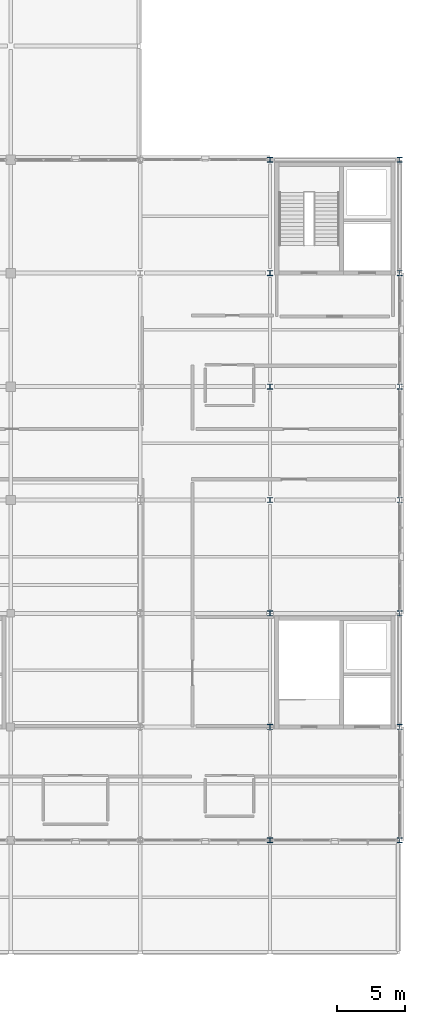
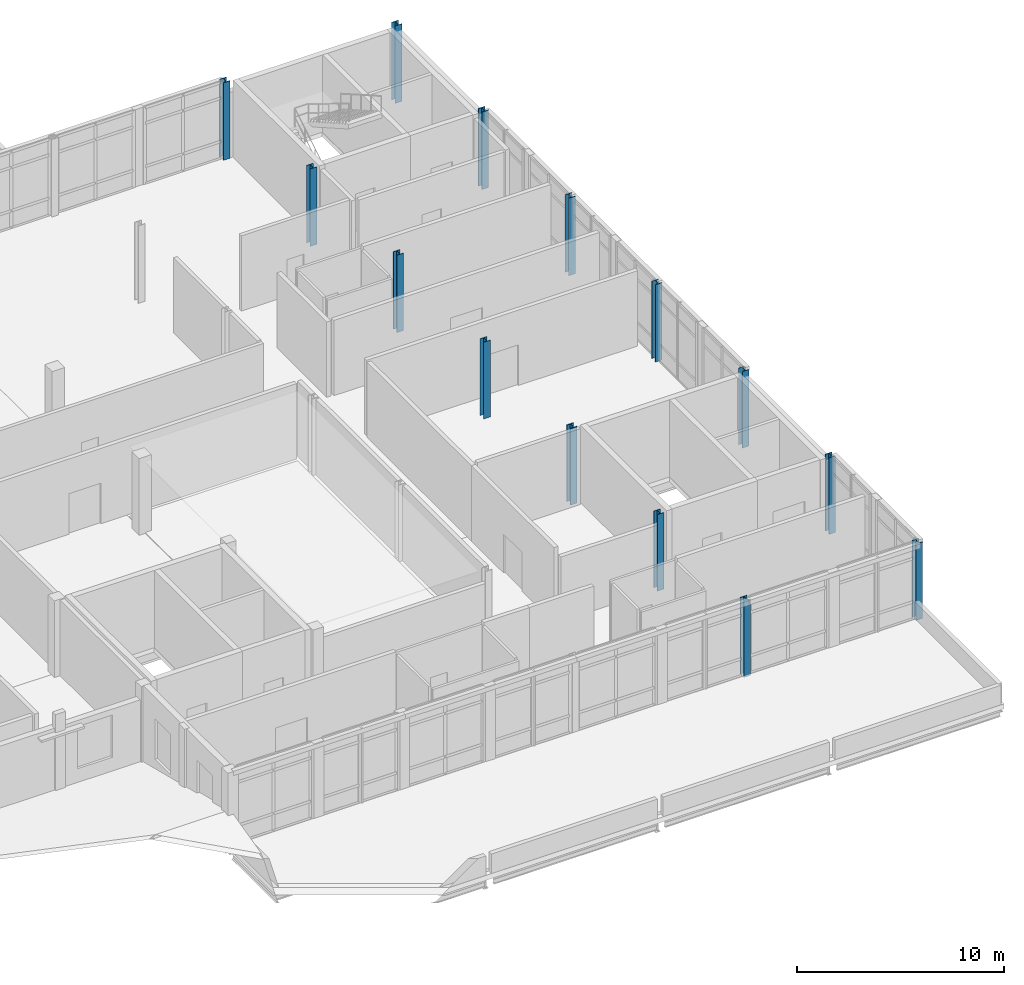
# One storey, part 9 of 52: 14 columns.
"""IFC4 building model written with IfcOpenShell, lengths in metres."""

from ifc_helpers import new_model, si_unit, direction, frame, origin, origin_2d, place, context, subcontext, project, spatial, i_section, extrude, material, material_profile, profile_set, type_object, element, save


model = new_model("IFC4")

# Units and contexts
model_context = context("Model", 3, precision=1e-05, world=origin(), true_north=direction((0.0, 1.0)))
body_context = subcontext(model_context, "Body", "Model", "MODEL_VIEW")
ifc_project = project(units=[si_unit("LENGTHUNIT", "METRE"), si_unit("AREAUNIT", "SQUARE_METRE"), si_unit("VOLUMEUNIT", "CUBIC_METRE"), si_unit("PLANEANGLEUNIT", "RADIAN"), si_unit("MASSUNIT", "GRAM", prefix="KILO")], contexts=[model_context])

# Site, building, storey
site_placement = place(None, origin())
site = spatial("IfcSite", under=ifc_project, at=site_placement, CompositionType="ELEMENT")
building_placement = place(site_placement, origin())
building = spatial("IfcBuilding", under=site, at=building_placement, Name="Lornevale Opera House", CompositionType="ELEMENT")
storey_placement = place(building_placement, frame((0.0, 0.0, 15.0)))
storey = spatial("IfcBuildingStorey", under=building, at=storey_placement, Name="L04", CompositionType="ELEMENT", Elevation=15.0)

# Columns
ifc_material = material(Name="Structural Steel CSA G40.21 Grade 350W (350 MPa)", Category="steel")
ifc_material_profile = material_profile(ifc_material, i_section(OverallWidth=0.373046875, OverallDepth=0.367919921875, WebThickness=0.017578125, FlangeThickness=0.028076171875, at=origin_2d()), Name="W360x179")
ifc_profile_set = profile_set([ifc_material_profile], Name="Structural Steel CSA G40.21 Grade 350W (350 MPa)")
column_type = type_object("IfcColumnType", Name="Steel Gallery Column W360x179", PredefinedType="COLUMN", material=ifc_profile_set)
for number, where, z_axis, x_axis, name in (
    (1, (134.39990234375, 25.199951171875, 0.0), (0.0, 0.0, 1.0), (1.0, 0.0, 0.0), "Steel Gallery Column W360x179 0925"),
    (2, (134.39990234375, 33.60009765625, 0.0), (0.0, 0.0, 1.0), (1.0, 0.0, 0.0), "Steel Gallery Column W360x179 0931"),
    (3, (134.39990234375, 42.0, 0.0), (0.0, 0.0, 1.0), (1.0, 0.0, 0.0), "Steel Gallery Column W360x179 0937"),
    (4, (134.39990234375, 50.39990234375, 0.0), (0.0, 0.0, 1.0), (1.0, 0.0, 0.0), "Steel Gallery Column W360x179 0943"),
):
    element("IfcColumn", number, at=place(storey_placement, frame(where, z_axis=z_axis, x_axis=x_axis)), inside=storey, type_object=column_type, Name=name, PredefinedType="COLUMN", context=body_context, shape_type="SweptSolid", body=[
        extrude(i_section(OverallWidth=0.373046875, OverallDepth=0.367919921875, WebThickness=0.017578125, FlangeThickness=0.028076171875, at=origin_2d()), origin(), (0.0, 0.0, 1.0), 4.530029296875),
    ])
for number, where, z_axis, x_axis, name in (
    (5, (134.39990234375, 58.800048828125, 0.0), (0.0, 0.0, 1.0), (1.0, 0.0, 0.0), "Steel Gallery Column W360x179 0951"),
    (6, (134.39990234375, 67.199951171875, 0.0), (0.0, 0.0, 1.0), (1.0, 0.0, 0.0), "Steel Gallery Column W360x179 0959"),
    (7, (134.39990234375, 75.60009765625, 0.0), (0.0, 0.0, 1.0), (1.0, 0.0, 0.0), "Steel Gallery Column W360x179 0967"),
):
    element("IfcColumn", number, at=place(storey_placement, frame(where, z_axis=z_axis, x_axis=x_axis)), inside=storey, type_object=column_type, Name=name, PredefinedType="COLUMN", context=body_context, shape_type="SweptSolid", body=[
        extrude(i_section(OverallWidth=0.373046875, OverallDepth=0.367919921875, WebThickness=0.017578125, FlangeThickness=0.028076171875, at=origin_2d()), origin(), (0.0, 0.0, 1.0), 4.580078125),
    ])
for number, where, z_axis, x_axis, name in (
    (8, (144.0, 25.199951171875, 0.0), (0.0, 0.0, 1.0), (1.0, 0.0, 0.0), "Steel Gallery Column W360x179 0988"),
    (9, (144.0, 33.60009765625, 0.0), (0.0, 0.0, 1.0), (1.0, 0.0, 0.0), "Steel Gallery Column W360x179 0994"),
    (10, (144.0, 42.0, 0.0), (0.0, 0.0, 1.0), (1.0, 0.0, 0.0), "Steel Gallery Column W360x179 1000"),
):
    element("IfcColumn", number, at=place(storey_placement, frame(where, z_axis=z_axis, x_axis=x_axis)), inside=storey, type_object=column_type, Name=name, PredefinedType="COLUMN", context=body_context, shape_type="SweptSolid", body=[
        extrude(i_section(OverallWidth=0.373046875, OverallDepth=0.367919921875, WebThickness=0.017578125, FlangeThickness=0.028076171875, at=origin_2d()), origin(), (0.0, 0.0, 1.0), 4.530029296875),
    ])
column_placement = place(storey_placement, frame((144.0, 50.39990234375, 0.0), z_axis=(0.0, 0.0, 1.0), x_axis=(1.0, 0.0, 0.0)))
element("IfcColumn", 11, at=column_placement, inside=storey, type_object=column_type, Name="Steel Gallery Column W360x179 1006", PredefinedType="COLUMN", context=body_context, shape_type="SweptSolid", body=[
    extrude(i_section(OverallWidth=0.373046875, OverallDepth=0.367919921875, WebThickness=0.017578125, FlangeThickness=0.028076171875, at=origin_2d()), origin(), (0.0, 0.0, 1.0), 4.570068359375),
])
for number, where, z_axis, x_axis, name in (
    (12, (144.0, 58.800048828125, 0.0), (0.0, 0.0, 1.0), (1.0, 0.0, 0.0), "Steel Gallery Column W360x179 1014"),
    (13, (144.0, 67.199951171875, 0.0), (0.0, 0.0, 1.0), (1.0, 0.0, 0.0), "Steel Gallery Column W360x179 1022"),
    (14, (144.0, 75.60009765625, 0.0), (0.0, 0.0, 1.0), (1.0, 0.0, 0.0), "Steel Gallery Column W360x179 1030"),
):
    element("IfcColumn", number, at=place(storey_placement, frame(where, z_axis=z_axis, x_axis=x_axis)), inside=storey, type_object=column_type, Name=name, PredefinedType="COLUMN", context=body_context, shape_type="SweptSolid", body=[
        extrude(i_section(OverallWidth=0.373046875, OverallDepth=0.367919921875, WebThickness=0.017578125, FlangeThickness=0.028076171875, at=origin_2d()), origin(), (0.0, 0.0, 1.0), 4.580078125),
    ])

save(model, "model.ifc")
